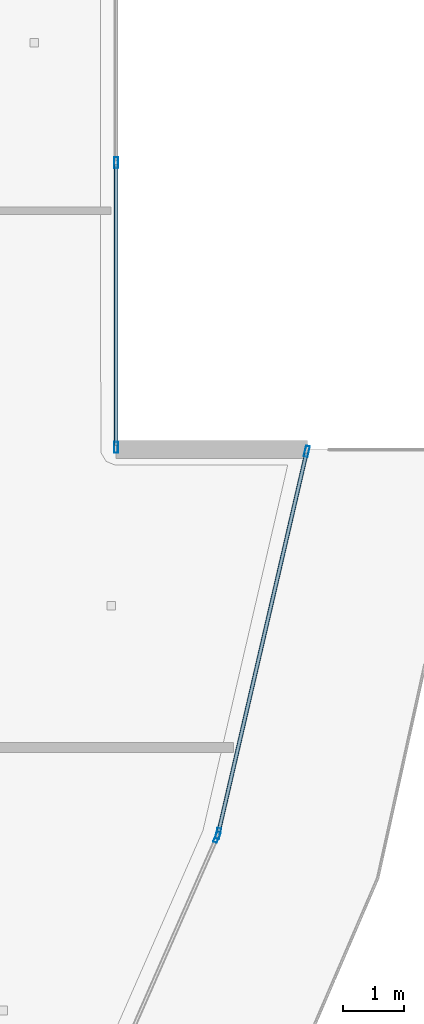
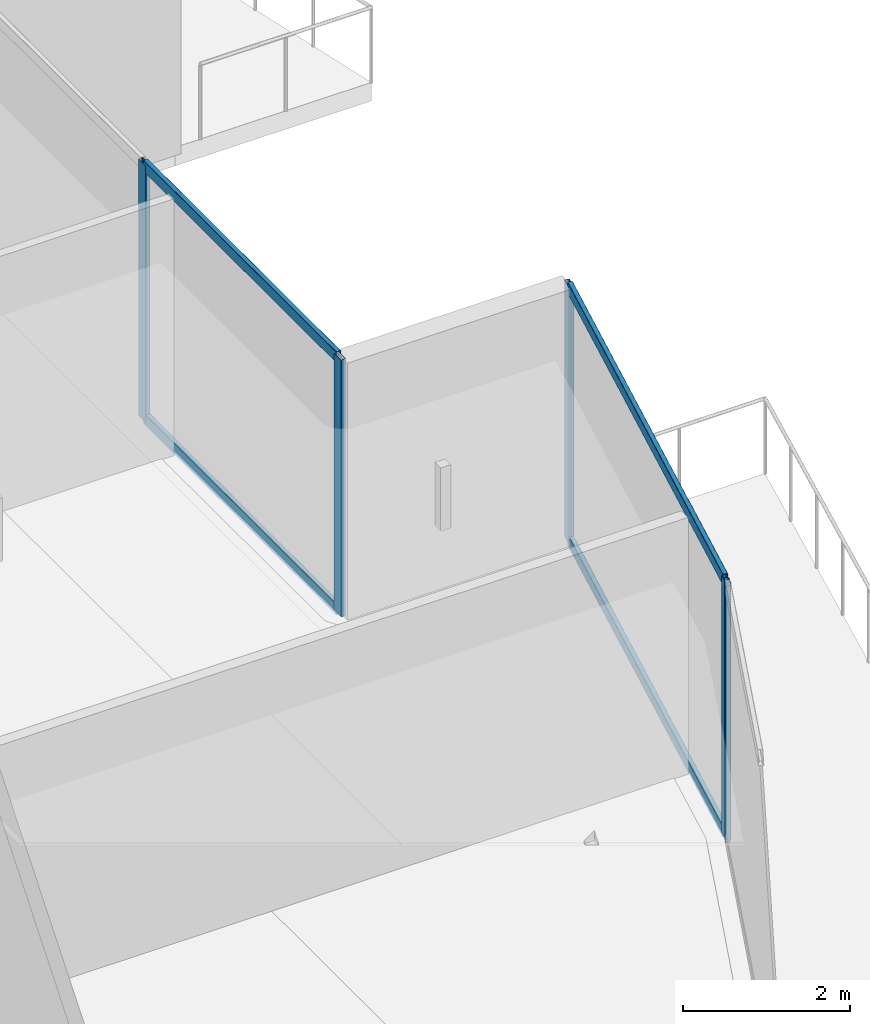
# One storey, part 11 of 36: 9 members, 3 elements without a shape of their own.
"""IFC4 building model written with IfcOpenShell, lengths in metres."""

from ifc_helpers import new_model, si_unit, direction, frame, origin, origin_2d, place, context, subcontext, project, spatial, hollow_rectangle, extrude, material, layer, layer_set, material_profile, profile_set, type_object, element, aggregate, save


model = new_model("IFC4")

# Units and contexts
model_context = context("Model", 3, precision=1e-05, world=origin(), true_north=direction((0.0, 1.0)))
body_context = subcontext(model_context, "Body", "Model", "MODEL_VIEW")
ifc_project = project(units=[si_unit("LENGTHUNIT", "METRE"), si_unit("AREAUNIT", "SQUARE_METRE"), si_unit("VOLUMEUNIT", "CUBIC_METRE"), si_unit("PLANEANGLEUNIT", "RADIAN"), si_unit("MASSUNIT", "GRAM", prefix="KILO")], contexts=[model_context])

# Site, building, storey
site_placement = place(None, origin())
site = spatial("IfcSite", under=ifc_project, at=site_placement, CompositionType="ELEMENT")
building_placement = place(site_placement, origin())
building = spatial("IfcBuilding", under=site, at=building_placement, Name="Qorvath Tower", CompositionType="ELEMENT")
storey_placement = place(building_placement, frame((0.0, 0.0, 170.550048828125)))
storey = spatial("IfcBuildingStorey", under=building, at=storey_placement, Name="L39", CompositionType="ELEMENT", Elevation=170.550048828125)

# Curtain wall, member
ifc_material_1 = material(Name="Anodised aluminium and triple low-E glass", Category="aluminium")
ifc_layer = layer(ifc_material_1, 0.179931640625)
ifc_layer_set = layer_set([ifc_layer], Name="CW-SYS-3")
curtain_wall_type = type_object("IfcCurtainWallType", Name="CW-SYS-3", PredefinedType="NOTDEFINED", material=ifc_layer_set)
curtain_wall_1_placement = place(storey_placement, origin())
curtain_wall_1 = element("IfcCurtainWall", 1, at=curtain_wall_1_placement, inside=storey, type_object=curtain_wall_type, Name="Curtain Wall CW-3 CW-T-L39-6.1", PredefinedType="NOTDEFINED")
ifc_material_2 = material(Name="Anodised aluminium 6063-T6", Category="aluminium")
ifc_material_profile_1 = material_profile(ifc_material_2, hollow_rectangle(XDim=0.06494140625, YDim=0.179931640625, WallThickness=0.00341796875, InnerFilletRadius=0.00341796875, OuterFilletRadius=0.007080078125, at=origin_2d()), Name="CWM 180x65")
ifc_profile_set_1 = profile_set([ifc_material_profile_1], Name="Anodised aluminium 6063-T6")
member_type_1 = type_object("IfcMemberType", Name="CWM-180", PredefinedType="MULLION", material=ifc_profile_set_1)
member_1_placement = place(storey_placement, frame((1.4736328125, -11.0751953125, 0.0), z_axis=(0.0, 0.0, 1.0), x_axis=(-0.915629399612, 0.402023385597, 0.0)))
member_1 = element("IfcMember", 2, at=member_1_placement, type_object=member_type_1, Name="CW-3 mullion 2", PredefinedType="MULLION", context=body_context, shape_type="SweptSolid", body=[
    extrude(hollow_rectangle(XDim=0.06494140625, YDim=0.179931640625, WallThickness=0.00341796875, InnerFilletRadius=0.00341796875, OuterFilletRadius=0.007080078125, at=origin_2d()), origin(), (0.0, 0.0, 1.0), 3.75),
])
aggregate(curtain_wall_1, [member_1])

# Curtain wall, members
curtain_wall_2_placement = place(storey_placement, origin())
curtain_wall_2 = element("IfcCurtainWall", 3, at=curtain_wall_2_placement, inside=storey, type_object=curtain_wall_type, Name="Curtain Wall CW-3 CW-T-L39-7.1", PredefinedType="NOTDEFINED")
member_2_placement = place(storey_placement, frame((1.493896484375, -11.013671875, 0.0), z_axis=(0.0, 0.0, 1.0), x_axis=(-0.974175693099, 0.225791317315, 0.0)))
member_2 = element("IfcMember", 4, at=member_2_placement, type_object=member_type_1, Name="CW-3 mullion 1", PredefinedType="MULLION", context=body_context, shape_type="SweptSolid", body=[
    extrude(hollow_rectangle(XDim=0.06494140625, YDim=0.179931640625, WallThickness=0.00341796875, InnerFilletRadius=0.00341796875, OuterFilletRadius=0.007080078125, at=origin_2d()), origin(), (0.0, 0.0, 1.0), 3.75),
])
member_3_placement = place(storey_placement, frame((2.947998046875, -4.740478515625, 0.0), z_axis=(0.0, 0.0, 1.0), x_axis=(-0.974175693099, 0.225791317315, 0.0)))
member_3 = element("IfcMember", 5, at=member_3_placement, type_object=member_type_1, Name="CW-3 mullion 2", PredefinedType="MULLION", context=body_context, shape_type="SweptSolid", body=[
    extrude(hollow_rectangle(XDim=0.06494140625, YDim=0.179931640625, WallThickness=0.00341796875, InnerFilletRadius=0.00341796875, OuterFilletRadius=0.007080078125, at=origin_2d()), origin(), (0.0, 0.0, 1.0), 3.75),
])

curtain_wall_3_placement = place(storey_placement, origin())
curtain_wall_3 = element("IfcCurtainWall", 6, at=curtain_wall_3_placement, inside=storey, type_object=curtain_wall_type, Name="Curtain Wall CW-3 CW-T-L39-9.1", PredefinedType="NOTDEFINED")
member_4_placement = place(storey_placement, frame((-0.183837890625, -4.67626953125, 0.0), z_axis=(0.0, 0.0, 1.0), x_axis=(-1.0, 0.0, 0.0)))
member_4 = element("IfcMember", 7, at=member_4_placement, type_object=member_type_1, Name="CW-3 mullion 1", PredefinedType="MULLION", context=body_context, shape_type="SweptSolid", body=[
    extrude(hollow_rectangle(XDim=0.06494140625, YDim=0.179931640625, WallThickness=0.00341796875, InnerFilletRadius=0.00341796875, OuterFilletRadius=0.007080078125, at=origin_2d()), origin(), (0.0, 0.0, 1.0), 3.75),
])
member_5_placement = place(storey_placement, frame((-0.183837890625, 0.0, 0.0), z_axis=(0.0, 0.0, 1.0), x_axis=(-1.0, 0.0, 0.0)))
member_5 = element("IfcMember", 8, at=member_5_placement, type_object=member_type_1, Name="CW-3 mullion 2", PredefinedType="MULLION", context=body_context, shape_type="SweptSolid", body=[
    extrude(hollow_rectangle(XDim=0.06494140625, YDim=0.179931640625, WallThickness=0.00341796875, InnerFilletRadius=0.00341796875, OuterFilletRadius=0.007080078125, at=origin_2d()), origin(), (0.0, 0.0, 1.0), 3.75),
])

# Member
ifc_material_3 = material(Name="Anodised aluminium 6063-T6", Category="aluminium")
ifc_material_profile_2 = material_profile(ifc_material_3, hollow_rectangle(XDim=0.06494140625, YDim=0.159912109375, WallThickness=0.00341796875, InnerFilletRadius=0.00341796875, OuterFilletRadius=0.007080078125, at=origin_2d()), Name="CWT 160x65")
ifc_profile_set_2 = profile_set([ifc_material_profile_2], Name="Anodised aluminium 6063-T6")
member_type_2 = type_object("IfcMemberType", Name="CWT-160", PredefinedType="USERDEFINED", material=ifc_profile_set_2)
member_6_placement = place(storey_placement, frame((1.501220703125, -10.982177734375, 0.032470703125), z_axis=(0.225801993048, 0.97417321865, 0.0), x_axis=(-0.97417321865, 0.225801993048, 0.0)))
member_6 = element("IfcMember", 9, at=member_6_placement, type_object=member_type_2, Name="CW-3 transom 1.1", ObjectType="TRANSOM", PredefinedType="USERDEFINED", context=body_context, shape_type="SweptSolid", body=[
    extrude(hollow_rectangle(XDim=0.06494140625, YDim=0.159912109375, WallThickness=0.00341796875, InnerFilletRadius=0.00341796875, OuterFilletRadius=0.007080078125, at=origin_2d()), origin(), (0.0, 0.0, 1.0), 6.374755859375),
])

member_7_placement = place(storey_placement, frame((1.501220703125, -10.982177734375, 3.717529296875), z_axis=(0.225801993048, 0.97417321865, 0.0), x_axis=(-0.97417321865, 0.225801993048, 0.0)))
member_7 = element("IfcMember", 10, at=member_7_placement, type_object=member_type_2, Name="CW-3 transom 1.2", ObjectType="TRANSOM", PredefinedType="USERDEFINED", context=body_context, shape_type="SweptSolid", body=[
    extrude(hollow_rectangle(XDim=0.06494140625, YDim=0.159912109375, WallThickness=0.00341796875, InnerFilletRadius=0.00341796875, OuterFilletRadius=0.007080078125, at=origin_2d()), origin(), (0.0, 0.0, 1.0), 6.374755859375),
])

aggregate(curtain_wall_2, [member_2, member_3, member_6, member_7])

member_8_placement = place(storey_placement, frame((-0.183837890625, -4.643798828125, 0.032470703125), z_axis=(0.0, 1.0, 0.0), x_axis=(-1.0, 0.0, 0.0)))
member_8 = element("IfcMember", 11, at=member_8_placement, type_object=member_type_2, Name="CW-3 transom 1.1", ObjectType="TRANSOM", PredefinedType="USERDEFINED", context=body_context, shape_type="SweptSolid", body=[
    extrude(hollow_rectangle(XDim=0.06494140625, YDim=0.159912109375, WallThickness=0.00341796875, InnerFilletRadius=0.00341796875, OuterFilletRadius=0.007080078125, at=origin_2d()), origin(), (0.0, 0.0, 1.0), 4.611328125),
])

member_9_placement = place(storey_placement, frame((-0.183837890625, -4.643798828125, 3.717529296875), z_axis=(0.0, 1.0, 0.0), x_axis=(-1.0, 0.0, 0.0)))
member_9 = element("IfcMember", 12, at=member_9_placement, type_object=member_type_2, Name="CW-3 transom 1.2", ObjectType="TRANSOM", PredefinedType="USERDEFINED", context=body_context, shape_type="SweptSolid", body=[
    extrude(hollow_rectangle(XDim=0.06494140625, YDim=0.159912109375, WallThickness=0.00341796875, InnerFilletRadius=0.00341796875, OuterFilletRadius=0.007080078125, at=origin_2d()), origin(), (0.0, 0.0, 1.0), 4.611328125),
])

aggregate(curtain_wall_3, [member_4, member_5, member_8, member_9])

save(model, "model.ifc")
